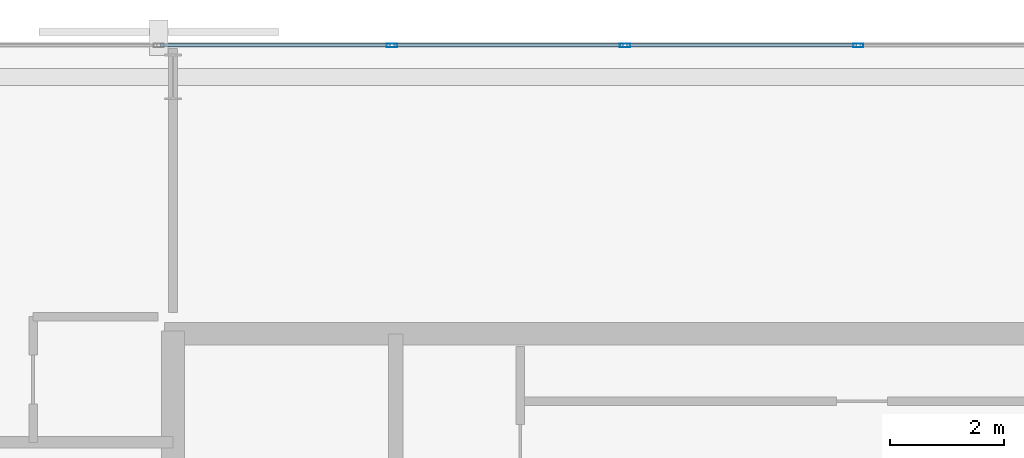
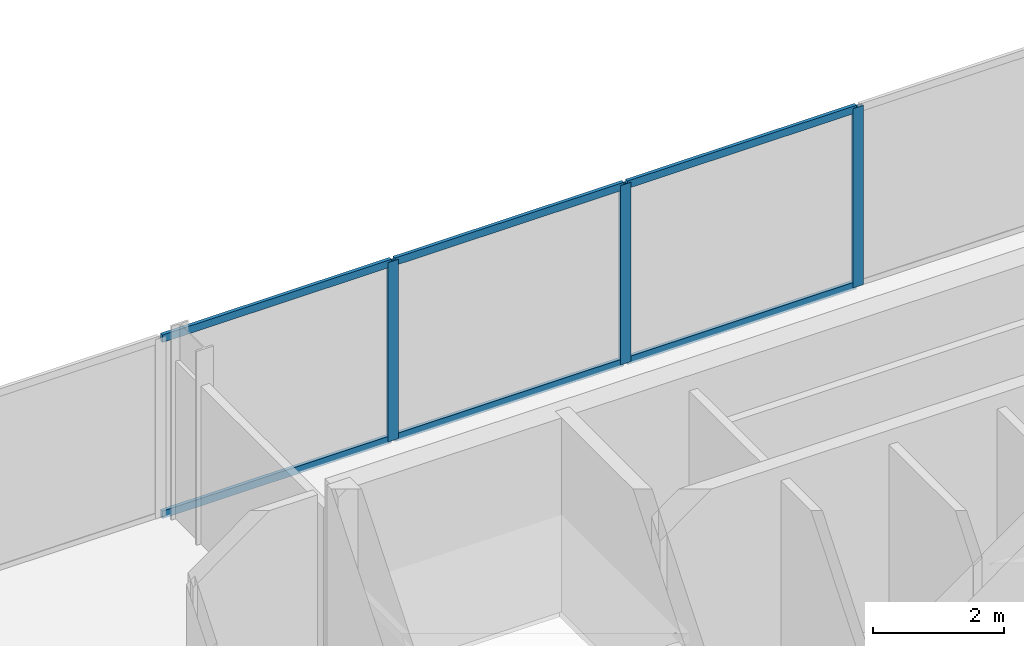
# One storey, part 23 of 33: 9 members, 1 element without a shape of its own.
"""IFC4 building model written with IfcOpenShell, lengths in metres."""

from ifc_helpers import new_model, si_unit, direction, frame, origin, origin_2d, place, context, subcontext, project, spatial, hollow_rectangle, extrude, material, layer, layer_set, material_profile, profile_set, type_object, element, aggregate, save


model = new_model("IFC4")

# Units and contexts
model_context = context("Model", 3, precision=1e-05, world=origin(), true_north=direction((0.0, 1.0)))
body_context = subcontext(model_context, "Body", "Model", "MODEL_VIEW")
ifc_project = project(units=[si_unit("LENGTHUNIT", "METRE"), si_unit("AREAUNIT", "SQUARE_METRE"), si_unit("VOLUMEUNIT", "CUBIC_METRE"), si_unit("PLANEANGLEUNIT", "RADIAN"), si_unit("MASSUNIT", "GRAM", prefix="KILO")], contexts=[model_context])

# Site, building, storey
site_placement = place(None, origin())
site = spatial("IfcSite", under=ifc_project, at=site_placement, CompositionType="ELEMENT")
building_placement = place(site_placement, origin())
building = spatial("IfcBuilding", under=site, at=building_placement, Name="Catumbela Crestline Tower", CompositionType="ELEMENT")
storey_placement = place(building_placement, frame((0.0, 0.0, 58.2)))
storey = spatial("IfcBuildingStorey", under=building, at=storey_placement, Name="L14", CompositionType="ELEMENT", Elevation=58.2)

# Curtain wall, members
ifc_material = material(Name="Aluminium alloy AW-6060-T66", Category="aluminium")
ifc_layer = layer(ifc_material, 0.18, Name="Aluminium alloy AW-6060-T66")
ifc_layer_set = layer_set([ifc_layer], Name="Aluminium alloy AW-6060-T66")
curtain_wall_type = type_object("IfcCurtainWallType", Name="CWU-Z1", PredefinedType="USERDEFINED", material=ifc_layer_set)
curtain_wall_placement = place(storey_placement, origin())
curtain_wall = element("IfcCurtainWall", 1, at=curtain_wall_placement, inside=storey, type_object=curtain_wall_type, Name="L14 Unitised Curtain Wall CW-L14-E7S1", ObjectType="UNITISED", PredefinedType="USERDEFINED")
ifc_material_profile_1 = material_profile(ifc_material, hollow_rectangle(XDim=0.065, YDim=0.18, WallThickness=0.004, at=origin_2d()), Name="ALU 180x65x4")
ifc_profile_set_1 = profile_set([ifc_material_profile_1], Name="Aluminium alloy AW-6060-T66")
member_type_1 = type_object("IfcMemberType", Name="MUL-180X65", PredefinedType="MULLION", material=ifc_profile_set_1)
member_1_placement = place(storey_placement, frame((28.0, 47.95, 0.0), z_axis=(0.0, 0.0, 1.0), x_axis=(0.0, -1.0, 0.0)))
member_1 = element("IfcMember", 2, at=member_1_placement, type_object=member_type_1, Name="CWU-Z1 mullion 7", PredefinedType="MULLION", context=body_context, shape_type="SweptSolid", body=[
    extrude(hollow_rectangle(XDim=0.065, YDim=0.18, WallThickness=0.004, at=origin_2d()), origin(), (0.0, 0.0, 1.0), 3.33),
])
member_2_placement = place(storey_placement, frame((23.9167, 47.95, 0.0), z_axis=(0.0, 0.0, 1.0), x_axis=(0.0, -1.0, 0.0)))
member_2 = element("IfcMember", 3, at=member_2_placement, type_object=member_type_1, Name="CWU-Z1 mullion 8", PredefinedType="MULLION", context=body_context, shape_type="SweptSolid", body=[
    extrude(hollow_rectangle(XDim=0.065, YDim=0.18, WallThickness=0.004, at=origin_2d()), origin(), (0.0, 0.0, 1.0), 3.33),
])
member_3_placement = place(storey_placement, frame((19.8333, 47.95, 0.0), z_axis=(0.0, 0.0, 1.0), x_axis=(0.0, -1.0, 0.0)))
member_3 = element("IfcMember", 4, at=member_3_placement, type_object=member_type_1, Name="CWU-Z1 mullion 9", PredefinedType="MULLION", context=body_context, shape_type="SweptSolid", body=[
    extrude(hollow_rectangle(XDim=0.065, YDim=0.18, WallThickness=0.004, at=origin_2d()), origin(), (0.0, 0.0, 1.0), 3.33),
])
ifc_material_profile_2 = material_profile(ifc_material, hollow_rectangle(XDim=0.06, YDim=0.14, WallThickness=0.004, at=origin_2d()), Name="ALU 140x60x4")
ifc_profile_set_2 = profile_set([ifc_material_profile_2], Name="Aluminium alloy AW-6060-T66")
member_type_2 = type_object("IfcMemberType", Name="TRN-140X60", PredefinedType="USERDEFINED", material=ifc_profile_set_2)
member_4_placement = place(storey_placement, frame((27.9675, 47.95, 0.03), z_axis=(-1.0, 0.0, 0.0), x_axis=(0.0, -1.0, 0.0)))
member_4 = element("IfcMember", 5, at=member_4_placement, type_object=member_type_2, Name="CWU-Z1 transom 7.1", ObjectType="TRANSOM", PredefinedType="USERDEFINED", context=body_context, shape_type="SweptSolid", body=[
    extrude(hollow_rectangle(XDim=0.06, YDim=0.14, WallThickness=0.004, at=origin_2d()), origin(), (0.0, 0.0, 1.0), 4.0183),
])
member_5_placement = place(storey_placement, frame((27.9675, 47.95, 3.3), z_axis=(-1.0, 0.0, 0.0), x_axis=(0.0, -1.0, 0.0)))
member_5 = element("IfcMember", 6, at=member_5_placement, type_object=member_type_2, Name="CWU-Z1 transom 7.2", ObjectType="TRANSOM", PredefinedType="USERDEFINED", context=body_context, shape_type="SweptSolid", body=[
    extrude(hollow_rectangle(XDim=0.06, YDim=0.14, WallThickness=0.004, at=origin_2d()), origin(), (0.0, 0.0, 1.0), 4.0183),
])
member_6_placement = place(storey_placement, frame((23.8842, 47.95, 0.03), z_axis=(-1.0, 0.0, 0.0), x_axis=(0.0, -1.0, 0.0)))
member_6 = element("IfcMember", 7, at=member_6_placement, type_object=member_type_2, Name="CWU-Z1 transom 8.1", ObjectType="TRANSOM", PredefinedType="USERDEFINED", context=body_context, shape_type="SweptSolid", body=[
    extrude(hollow_rectangle(XDim=0.06, YDim=0.14, WallThickness=0.004, at=origin_2d()), origin(), (0.0, 0.0, 1.0), 4.0184),
])
member_7_placement = place(storey_placement, frame((23.8842, 47.95, 3.3), z_axis=(-1.0, 0.0, 0.0), x_axis=(0.0, -1.0, 0.0)))
member_7 = element("IfcMember", 8, at=member_7_placement, type_object=member_type_2, Name="CWU-Z1 transom 8.2", ObjectType="TRANSOM", PredefinedType="USERDEFINED", context=body_context, shape_type="SweptSolid", body=[
    extrude(hollow_rectangle(XDim=0.06, YDim=0.14, WallThickness=0.004, at=origin_2d()), origin(), (0.0, 0.0, 1.0), 4.0184),
])
member_8_placement = place(storey_placement, frame((19.8008, 47.95, 0.03), z_axis=(-1.0, 0.0, 0.0), x_axis=(0.0, -1.0, 0.0)))
member_8 = element("IfcMember", 9, at=member_8_placement, type_object=member_type_2, Name="CWU-Z1 transom 9.1", ObjectType="TRANSOM", PredefinedType="USERDEFINED", context=body_context, shape_type="SweptSolid", body=[
    extrude(hollow_rectangle(XDim=0.06, YDim=0.14, WallThickness=0.004, at=origin_2d()), origin(), (0.0, 0.0, 1.0), 4.0183),
])
member_9_placement = place(storey_placement, frame((19.8008, 47.95, 3.3), z_axis=(-1.0, 0.0, 0.0), x_axis=(0.0, -1.0, 0.0)))
member_9 = element("IfcMember", 10, at=member_9_placement, type_object=member_type_2, Name="CWU-Z1 transom 9.2", ObjectType="TRANSOM", PredefinedType="USERDEFINED", context=body_context, shape_type="SweptSolid", body=[
    extrude(hollow_rectangle(XDim=0.06, YDim=0.14, WallThickness=0.004, at=origin_2d()), origin(), (0.0, 0.0, 1.0), 4.0183),
])
aggregate(curtain_wall, [member_1, member_2, member_3, member_4, member_5, member_6, member_7, member_8, member_9])

save(model, "model.ifc")
